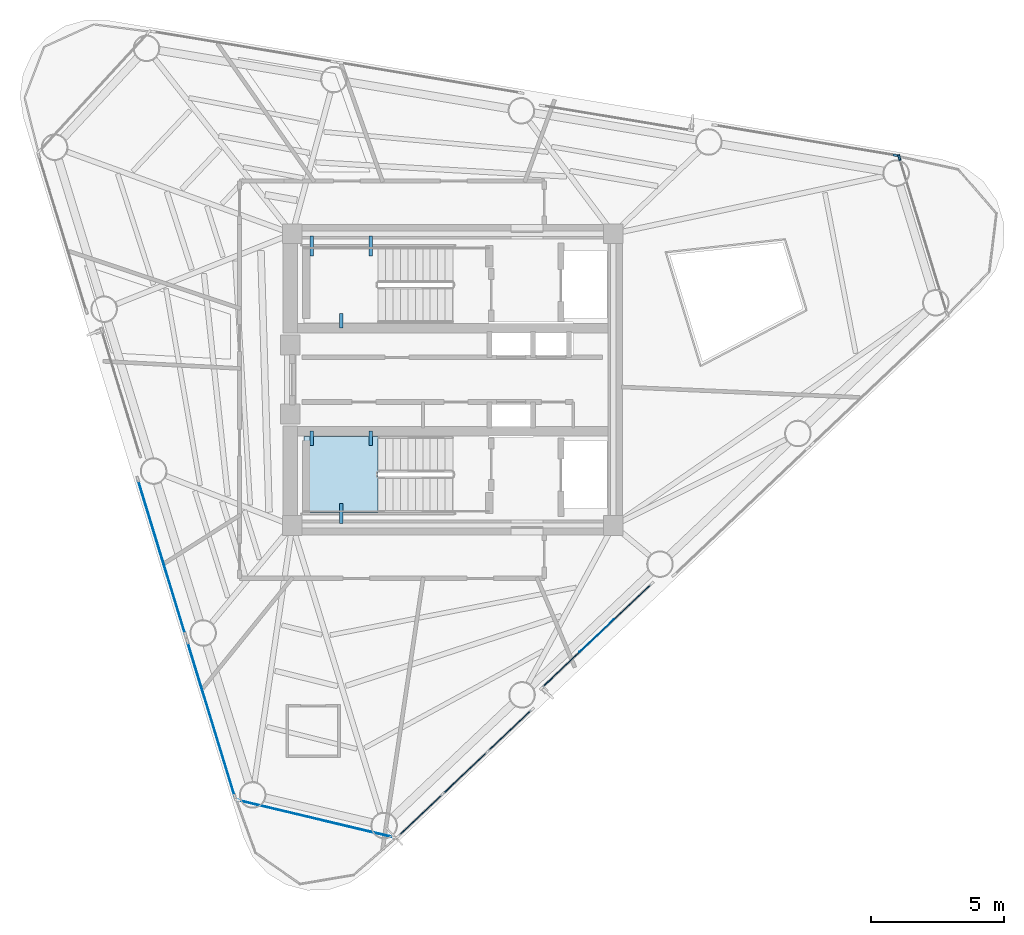
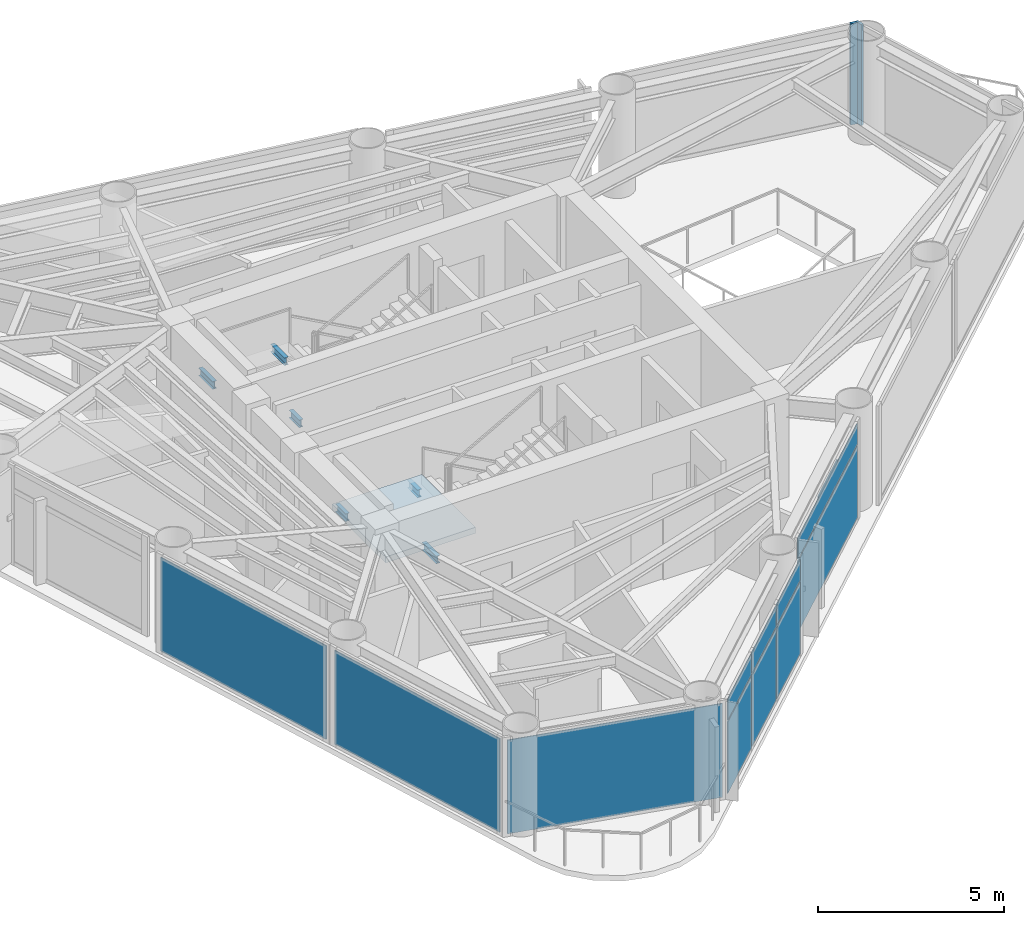
# One storey, part 4 of 9: 12 plates, 6 beams, 2 members, 1 slab, 8 elements without a shape of their own.
"""IFC4 building model written with IfcOpenShell, lengths in metres."""

from ifc_helpers import new_model, si_unit, direction, frame, origin, origin_2d, place, context, subcontext, project, spatial, polyline, rectangle, i_section, outline, extrude, source, transform, mapped, material, layer, layer_set, material_profile, profile_set, type_object, element, aggregate, save


model = new_model("IFC4")

# Units and contexts
model_context = context("Model", 3, precision=1e-05, world=origin(), true_north=direction((0.0, 1.0)))
body_context = subcontext(model_context, "Body", "Model", "MODEL_VIEW")
ifc_project = project(units=[si_unit("LENGTHUNIT", "METRE"), si_unit("AREAUNIT", "SQUARE_METRE"), si_unit("VOLUMEUNIT", "CUBIC_METRE"), si_unit("PLANEANGLEUNIT", "RADIAN"), si_unit("MASSUNIT", "GRAM", prefix="KILO")], contexts=[model_context])

# Site, building, storey
site_placement = place(None, origin())
site = spatial("IfcSite", under=ifc_project, at=site_placement, CompositionType="ELEMENT")
building_placement = place(site_placement, origin())
building = spatial("IfcBuilding", under=site, at=building_placement, Name="Yunling Apex Tower", CompositionType="ELEMENT")
storey_placement = place(building_placement, frame((0.0, 0.0, 228.64990234375)))
storey = spatial("IfcBuildingStorey", under=building, at=storey_placement, Name="L55", CompositionType="ELEMENT", Elevation=228.64990234375)

# Beams
ifc_material_1 = material(Name="Steel Q355B", Category="steel")
ifc_material_profile_1 = material_profile(ifc_material_1, i_section(OverallWidth=0.125, OverallDepth=0.25, WebThickness=0.006103515625, FlangeThickness=0.009033203125, FilletRadius=0.011962890625, at=origin_2d()))
ifc_profile_set_1 = profile_set([ifc_material_profile_1], Name="Steel Q355B")
beam_type = type_object("IfcBeamType", Name="BL-LNT-1", PredefinedType="LINTEL", material=ifc_profile_set_1)
shared_shape_1 = source(origin(), body_context, "Body", "SweptSolid", [
    extrude(i_section(OverallWidth=0.125, OverallDepth=0.25, WebThickness=0.006103515625, FlangeThickness=0.009033203125, FilletRadius=0.011962890625, at=origin_2d()), origin(), (0.0, 0.0, 1.0), 0.760009765625),
])
for number, where, z_axis, x_axis, name in (
    (1, (-5.320068359375, 5.419921875, 1.380126953125), (0.0, -1.0, 0.0), (1.0, 0.0, 0.0), "L55 ST-1 Landing Bearing Corbel 1-1"),
    (2, (-3.090087890625, 5.419921875, 1.380126953125), (0.0, -1.0, 0.0), (1.0, 0.0, 0.0), "L55 ST-1 Landing Bearing Corbel 1-2"),
    (3, (-4.205078125, -5.419921875, 1.380126953125), (0.0, 1.0, 0.0), (-1.0, 0.0, 0.0), "L55 ST-2 Landing Bearing Corbel 1-3"),
):
    element("IfcBeam", number, at=place(storey_placement, frame(where, z_axis=z_axis, x_axis=x_axis)), inside=storey, type_object=beam_type, Name=name, PredefinedType="LINTEL", context=body_context, shape_type="MappedRepresentation", body=[
        mapped(shared_shape_1, transform((0.0, 0.0, 0.0), scale=1.0)),
    ])
shared_shape_2 = source(origin(), body_context, "Body", "SweptSolid", [
    extrude(i_section(OverallWidth=0.125, OverallDepth=0.25, WebThickness=0.006103515625, FlangeThickness=0.009033203125, FilletRadius=0.011962890625, at=origin_2d()), origin(), (0.0, 0.0, 1.0), 0.550048828125),
])
for number, where, z_axis, x_axis, name in (
    (4, (-4.205078125, 1.93994140625, 1.380126953125), (0.0, 1.0, 0.0), (-1.0, 0.0, 0.0), "L55 ST-1 Landing Bearing Corbel 1-3"),
    (5, (-5.320068359375, -1.93994140625, 1.380126953125), (0.0, -1.0, 0.0), (1.0, 0.0, 0.0), "L55 ST-2 Landing Bearing Corbel 1-1"),
    (6, (-3.090087890625, -1.93994140625, 1.380126953125), (0.0, -1.0, 0.0), (1.0, 0.0, 0.0), "L55 ST-2 Landing Bearing Corbel 1-2"),
):
    element("IfcBeam", number, at=place(storey_placement, frame(where, z_axis=z_axis, x_axis=x_axis)), inside=storey, type_object=beam_type, Name=name, PredefinedType="LINTEL", context=body_context, shape_type="MappedRepresentation", body=[
        mapped(shared_shape_2, transform((0.0, 0.0, 0.0), scale=1.0)),
    ])

# Curtain wall, member
ifc_material_2 = material(Name="Bronze anodised aluminium", Category="aluminium")
ifc_layer_1 = layer(ifc_material_2, 0.219970703125)
ifc_layer_set_1 = layer_set([ifc_layer_1], Name="Bronze anodised aluminium")
curtain_wall_type = type_object("IfcCurtainWallType", Name="CW-SYS-4", PredefinedType="NOTDEFINED", material=ifc_layer_set_1)
curtain_wall_1_placement = place(storey_placement, origin())
curtain_wall_1 = element("IfcCurtainWall", 7, at=curtain_wall_1_placement, inside=storey, type_object=curtain_wall_type, Name="CW-L55-CRN1", PredefinedType="NOTDEFINED")
ifc_material_profile_2 = material_profile(ifc_material_2, rectangle(XDim=0.080078125, YDim=0.219970703125, at=origin_2d()))
ifc_profile_set_2 = profile_set([ifc_material_profile_2], Name="Bronze anodised aluminium")
member_type = type_object("IfcMemberType", Name="CW-MUL-4", PredefinedType="MULLION", material=ifc_profile_set_2)
shared_shape_3 = source(origin(), body_context, "Body", "SweptSolid", [
    extrude(rectangle(XDim=0.080078125, YDim=0.219970703125, at=origin_2d()), origin(), (0.0, 0.0, 1.0), 3.31982421875),
])
member_1_placement = place(storey_placement, frame((16.8291015625, 8.37255859375, -0.0498046875), z_axis=(0.0, 0.0, 1.0), x_axis=(-0.956305498685, -0.292369275379, 0.0)))
member_1 = element("IfcMember", 8, at=member_1_placement, type_object=member_type, Name="CW-SYS-4 mullion 2", PredefinedType="MULLION", context=body_context, shape_type="MappedRepresentation", body=[
    mapped(shared_shape_3, transform((0.0, 0.0, 0.0), scale=1.0)),
])
aggregate(curtain_wall_1, [member_1])

curtain_wall_2_placement = place(storey_placement, origin())
curtain_wall_2 = element("IfcCurtainWall", 9, at=curtain_wall_2_placement, inside=storey, type_object=curtain_wall_type, Name="CW-L55-F2-B1", PredefinedType="NOTDEFINED")
member_2_placement = place(storey_placement, frame((16.702392578125, 8.4501953125, -0.0498046875), z_axis=(0.0, 0.0, 1.0), x_axis=(-0.164352664392, -0.9864016432, 0.0)))
member_2 = element("IfcMember", 10, at=member_2_placement, type_object=member_type, Name="CW-SYS-4 mullion 1", PredefinedType="MULLION", context=body_context, shape_type="MappedRepresentation", body=[
    mapped(shared_shape_3, transform((0.0, 0.0, 0.0), scale=1.0)),
])
aggregate(curtain_wall_2, [member_2])

# Stair, slab
ifc_material_3 = material(Name="Concrete C40", Category="concrete")
stair_type = type_object("IfcStairType", Name="ST-TWR-3", PredefinedType="HALF_TURN_STAIR", material=ifc_material_3)
stair_placement = place(storey_placement, origin())
stair = element("IfcStair", 11, at=stair_placement, inside=storey, type_object=stair_type, Name="L55 South Core Smokeproof Exit Stair ST-2", PredefinedType="HALF_TURN_STAIR")
ifc_layer_2 = layer(ifc_material_3, 0.195068359375)
ifc_layer_set_2 = layer_set([ifc_layer_2], Name="Concrete C40")
slab_type = type_object("IfcSlabType", Name="SL-LND-1", PredefinedType="LANDING", material=ifc_layer_set_2)
slab_placement = place(storey_placement, frame((0.0, 0.0, 1.505126953125)))
slab = element("IfcSlab", 12, at=slab_placement, type_object=slab_type, Name="ST-2 landing 1", PredefinedType="LANDING", context=body_context, shape_type="SweptSolid", body=[
    extrude(outline(polyline([(-2.81005859375, -2.139892578125), (-5.60009765625, -2.139892578125), (-5.60009765625, -5.010009765625), (-2.81005859375, -5.010009765625), (-2.81005859375, -2.139892578125)])), origin(), (0.0, 0.0, 1.0), 0.195068359375),
])
aggregate(stair, [slab])

# Plate
ifc_layer_3 = layer(ifc_material_2, 0.011962890625)
ifc_layer_set_3 = layer_set([ifc_layer_3], Name="Bronze anodised aluminium")
plate_type_1 = type_object("IfcPlateType", Name="SP-SHT-1", PredefinedType="SHEET", material=ifc_layer_set_3)
shared_shape_4 = source(origin(), body_context, "Body", "SweptSolid", [
    extrude(rectangle(XDim=1.800048828125, YDim=0.02392578125, at=origin_2d()), origin(), (0.0, 0.0, 1.0), 0.43994140625),
])
plate_1_placement = place(storey_placement, frame((5.429931640625, -9.651123046875, 2.820068359375), z_axis=(0.0, 0.0, 1.0), x_axis=(0.725854756355, 0.687848001144, 0.0)))
element("IfcPlate", 13, at=plate_1_placement, inside=storey, type_object=plate_type_1, Name="SP-GRV-L55-F1", PredefinedType="SHEET", context=body_context, shape_type="MappedRepresentation", body=[
    mapped(shared_shape_4, transform((0.0, 0.0, 0.0), scale=1.0)),
])

# Curtain wall, plates
curtain_wall_3_placement = place(storey_placement, origin())
curtain_wall_3 = element("IfcCurtainWall", 14, at=curtain_wall_3_placement, inside=storey, type_object=curtain_wall_type, Name="CW-L55-F1-B1", PredefinedType="NOTDEFINED")
ifc_material_4 = material(Name="Bronze tinted low-E glass", Category="glass")
ifc_layer_4 = layer(ifc_material_4, 0.030029296875)
ifc_layer_set_4 = layer_set([ifc_layer_4], Name="Bronze tinted low-E glass")
plate_type_2 = type_object("IfcPlateType", Name="CW-PNL-4", PredefinedType="CURTAIN_PANEL", material=ifc_layer_set_4)
shared_shape_5 = source(origin(), body_context, "Body", "SweptSolid", [
    extrude(rectangle(XDim=2.229736328125, YDim=0.030029296875, at=origin_2d()), origin(), (0.0, 0.0, 1.0), 2.34326171875),
])
plate_2_placement = place(storey_placement, frame((-1.2138671875, -16.41552734375, 0.072021484375), z_axis=(0.0, 0.0, 1.0), x_axis=(0.72585471909, 0.687848040467, 0.0)))
plate_2 = element("IfcPlate", 15, at=plate_2_placement, type_object=plate_type_2, Name="CW-SYS-4 panel 1.1", PredefinedType="CURTAIN_PANEL", context=body_context, shape_type="MappedRepresentation", body=[
    mapped(shared_shape_5, transform((0.0, 0.0, 0.0), scale=1.0)),
])
plate_3_placement = place(storey_placement, frame((2.145263671875, -13.232421875, 0.072021484375), z_axis=(0.0, 0.0, 1.0), x_axis=(0.72585471909, 0.687848040467, 0.0)))
plate_3 = element("IfcPlate", 16, at=plate_3_placement, type_object=plate_type_2, Name="CW-SYS-4 panel 3.1", PredefinedType="CURTAIN_PANEL", context=body_context, shape_type="MappedRepresentation", body=[
    mapped(shared_shape_5, transform((0.0, 0.0, 0.0), scale=1.0)),
])
shared_shape_6 = source(origin(), body_context, "Body", "SweptSolid", [
    extrude(rectangle(XDim=2.229736328125, YDim=0.030029296875, at=origin_2d()), origin(), (0.0, 0.0, 1.0), 0.668701171875),
])
plate_4_placement = place(storey_placement, frame((-1.2138671875, -16.41552734375, 2.4794921875), z_axis=(0.0, 0.0, 1.0), x_axis=(0.72585471909, 0.687848040467, 0.0)))
plate_4 = element("IfcPlate", 17, at=plate_4_placement, type_object=plate_type_2, Name="CW-SYS-4 panel 1.2", PredefinedType="CURTAIN_PANEL", context=body_context, shape_type="MappedRepresentation", body=[
    mapped(shared_shape_6, transform((0.0, 0.0, 0.0), scale=1.0)),
])
plate_5_placement = place(storey_placement, frame((2.145263671875, -13.232421875, 2.4794921875), z_axis=(0.0, 0.0, 1.0), x_axis=(0.72585471909, 0.687848040467, 0.0)))
plate_5 = element("IfcPlate", 18, at=plate_5_placement, type_object=plate_type_2, Name="CW-SYS-4 panel 3.2", PredefinedType="CURTAIN_PANEL", context=body_context, shape_type="MappedRepresentation", body=[
    mapped(shared_shape_6, transform((0.0, 0.0, 0.0), scale=1.0)),
])
shared_shape_7 = source(origin(), body_context, "Body", "SweptSolid", [
    extrude(rectangle(XDim=2.269775390625, YDim=0.030029296875, at=origin_2d()), origin(), (0.0, 0.0, 1.0), 2.34326171875),
])
plate_6_placement = place(storey_placement, frame((0.4658203125, -14.823974609375, 0.072021484375), z_axis=(0.0, 0.0, 1.0), x_axis=(0.72585471909, 0.687848040467, 0.0)))
plate_6 = element("IfcPlate", 19, at=plate_6_placement, type_object=plate_type_2, Name="CW-SYS-4 panel 2.1", PredefinedType="CURTAIN_PANEL", context=body_context, shape_type="MappedRepresentation", body=[
    mapped(shared_shape_7, transform((0.0, 0.0, 0.0), scale=1.0)),
])
shared_shape_8 = source(origin(), body_context, "Body", "SweptSolid", [
    extrude(rectangle(XDim=2.269775390625, YDim=0.030029296875, at=origin_2d()), origin(), (0.0, 0.0, 1.0), 0.668701171875),
])
plate_7_placement = place(storey_placement, frame((0.4658203125, -14.823974609375, 2.4794921875), z_axis=(0.0, 0.0, 1.0), x_axis=(0.72585471909, 0.687848040467, 0.0)))
plate_7 = element("IfcPlate", 20, at=plate_7_placement, type_object=plate_type_2, Name="CW-SYS-4 panel 2.2", PredefinedType="CURTAIN_PANEL", context=body_context, shape_type="MappedRepresentation", body=[
    mapped(shared_shape_8, transform((0.0, 0.0, 0.0), scale=1.0)),
])
aggregate(curtain_wall_3, [plate_2, plate_4, plate_6, plate_7, plate_3, plate_5])

curtain_wall_4_placement = place(storey_placement, origin())
curtain_wall_4 = element("IfcCurtainWall", 21, at=curtain_wall_4_placement, inside=storey, type_object=curtain_wall_type, Name="CW-L55-F1-B2", PredefinedType="NOTDEFINED")
shared_shape_9 = source(origin(), body_context, "Body", "SweptSolid", [
    extrude(rectangle(XDim=5.617431640625, YDim=0.030029296875, at=origin_2d()), origin(), (0.0, 0.0, 1.0), 2.34326171875),
])
plate_8_placement = place(storey_placement, frame((5.429931640625, -9.651123046875, 0.072021484375), z_axis=(0.0, 0.0, 1.0), x_axis=(0.725848686167, 0.687854406681, 0.0)))
plate_8 = element("IfcPlate", 22, at=plate_8_placement, type_object=plate_type_2, Name="CW-SYS-4 panel 1.1", PredefinedType="CURTAIN_PANEL", context=body_context, shape_type="MappedRepresentation", body=[
    mapped(shared_shape_9, transform((0.0, 0.0, 0.0), scale=1.0)),
])
shared_shape_10 = source(origin(), body_context, "Body", "SweptSolid", [
    extrude(rectangle(XDim=5.617431640625, YDim=0.030029296875, at=origin_2d()), origin(), (0.0, 0.0, 1.0), 0.668701171875),
])
plate_9_placement = place(storey_placement, frame((5.429931640625, -9.651123046875, 2.4794921875), z_axis=(0.0, 0.0, 1.0), x_axis=(0.725848686167, 0.687854406681, 0.0)))
plate_9 = element("IfcPlate", 23, at=plate_9_placement, type_object=plate_type_2, Name="CW-SYS-4 panel 1.2", PredefinedType="CURTAIN_PANEL", context=body_context, shape_type="MappedRepresentation", body=[
    mapped(shared_shape_10, transform((0.0, 0.0, 0.0), scale=1.0)),
])
aggregate(curtain_wall_4, [plate_8, plate_9])

# Curtain wall, plate
curtain_wall_5_placement = place(storey_placement, origin())
curtain_wall_5 = element("IfcCurtainWall", 24, at=curtain_wall_5_placement, inside=storey, type_object=curtain_wall_type, Name="CW-L55-F3-B3", PredefinedType="NOTDEFINED")
shared_shape_11 = source(origin(), body_context, "Body", "SweptSolid", [
    extrude(rectangle(XDim=6.077880859375, YDim=0.030029296875, at=origin_2d()), origin(), (0.0, 0.0, 1.0), 3.075927734375),
])
plate_10_placement = place(storey_placement, frame((-10.973876953125, -6.69189453125, 0.072265625), z_axis=(0.0, 0.0, 1.0), x_axis=(0.29237206414, -0.956304646078, 0.0)))
plate_10 = element("IfcPlate", 25, at=plate_10_placement, type_object=plate_type_2, Name="CW-SYS-4 panel 1.1", PredefinedType="CURTAIN_PANEL", context=body_context, shape_type="MappedRepresentation", body=[
    mapped(shared_shape_11, transform((0.0, 0.0, 0.0), scale=1.0)),
])
aggregate(curtain_wall_5, [plate_10])

curtain_wall_6_placement = place(storey_placement, origin())
curtain_wall_6 = element("IfcCurtainWall", 26, at=curtain_wall_6_placement, inside=storey, type_object=curtain_wall_type, Name="CW-L55-F3-B4", PredefinedType="NOTDEFINED")
plate_11_placement = place(storey_placement, frame((-9.108154296875, -12.794921875, 0.072265625), z_axis=(0.0, 0.0, 1.0), x_axis=(0.29237206414, -0.956304646078, 0.0)))
plate_11 = element("IfcPlate", 27, at=plate_11_placement, type_object=plate_type_2, Name="CW-SYS-4 panel 1.1", PredefinedType="CURTAIN_PANEL", context=body_context, shape_type="MappedRepresentation", body=[
    mapped(shared_shape_11, transform((0.0, 0.0, 0.0), scale=1.0)),
])
aggregate(curtain_wall_6, [plate_11])

curtain_wall_7_placement = place(storey_placement, origin())
curtain_wall_7 = element("IfcCurtainWall", 28, at=curtain_wall_7_placement, inside=storey, type_object=curtain_wall_type, Name="CW-L55-CRN3", PredefinedType="NOTDEFINED")
shared_shape_12 = source(origin(), body_context, "Body", "SweptSolid", [
    extrude(rectangle(XDim=6.032958984375, YDim=0.030029296875, at=origin_2d()), origin(), (0.0, 0.0, 1.0), 3.075927734375),
])
plate_12_placement = place(storey_placement, frame((-5.151611328125, -16.556396484375, 0.072265625), z_axis=(0.0, 0.0, 1.0), x_axis=(0.97276120775, -0.231809474992, 0.0)))
plate_12 = element("IfcPlate", 29, at=plate_12_placement, type_object=plate_type_2, Name="CW-SYS-4 panel 1.1", PredefinedType="CURTAIN_PANEL", context=body_context, shape_type="MappedRepresentation", body=[
    mapped(shared_shape_12, transform((0.0, 0.0, 0.0), scale=1.0)),
])
aggregate(curtain_wall_7, [plate_12])

save(model, "model.ifc")
